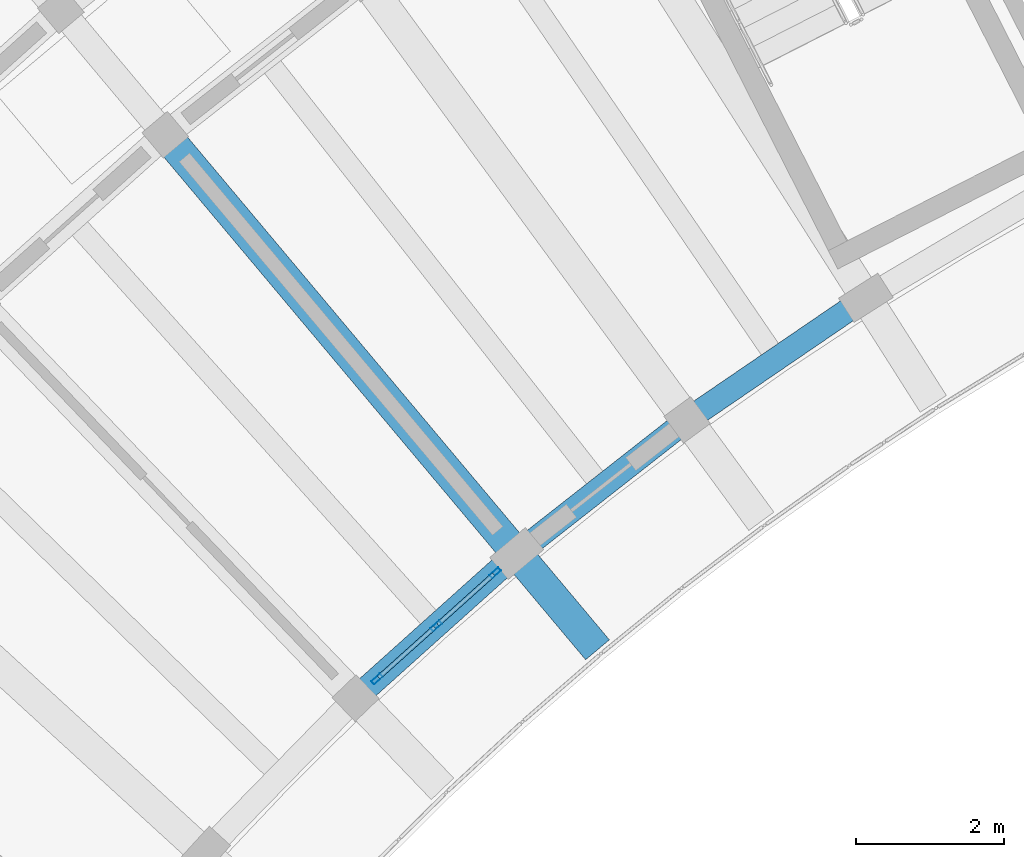
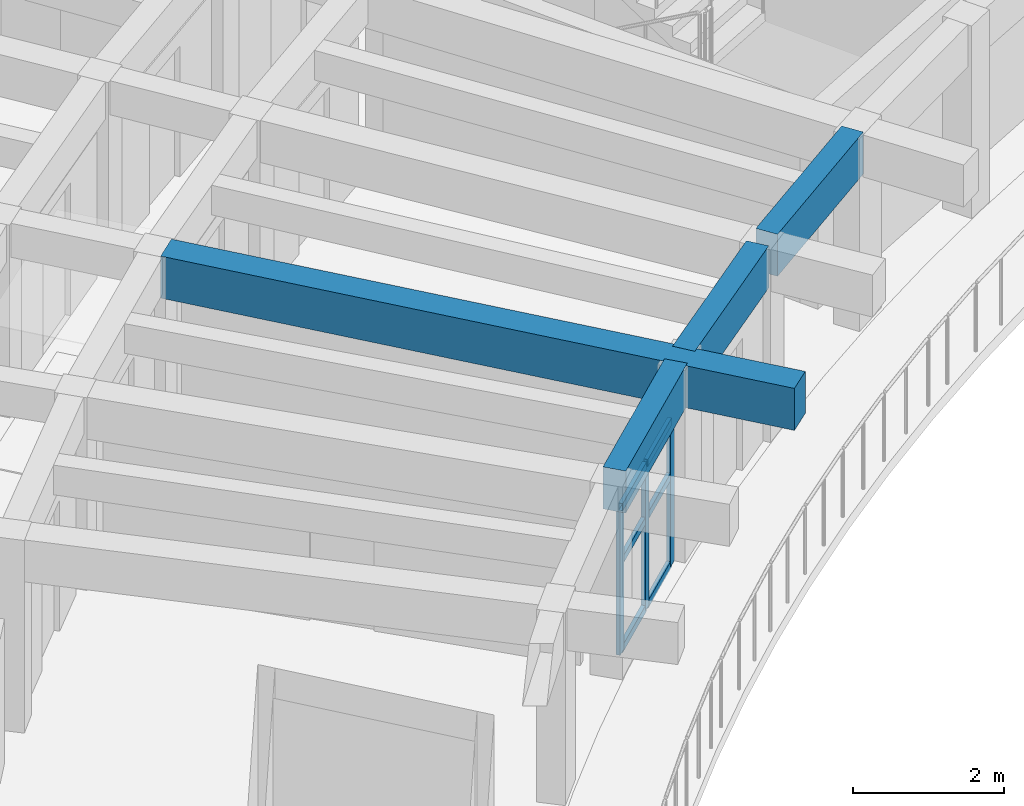
# One storey, part 5 of 32: 9 members, 4 beams, 1 element without a shape of its own.
"""IFC4 building model written with IfcOpenShell, lengths in metres."""

from ifc_helpers import new_model, si_unit, direction, frame, origin, origin_2d, place, context, subcontext, project, spatial, rectangle, hollow_rectangle, extrude, material, material_profile, profile_set, type_object, element, aggregate, save


model = new_model("IFC4")

# Units and contexts
model_context = context("Model", 3, precision=1e-05, world=origin(), true_north=direction((0.0, 1.0)))
body_context = subcontext(model_context, "Body", "Model", "MODEL_VIEW")
ifc_project = project(units=[si_unit("LENGTHUNIT", "METRE"), si_unit("AREAUNIT", "SQUARE_METRE"), si_unit("VOLUMEUNIT", "CUBIC_METRE"), si_unit("PLANEANGLEUNIT", "RADIAN"), si_unit("MASSUNIT", "GRAM", prefix="KILO")], contexts=[model_context])

# Site, building, storey
site_placement = place(None, origin())
site = spatial("IfcSite", under=ifc_project, at=site_placement, CompositionType="ELEMENT")
building_placement = place(site_placement, origin())
building = spatial("IfcBuilding", under=site, at=building_placement, Name="Tanwirah Colonnade Gardens", CompositionType="ELEMENT")
storey_placement = place(building_placement, frame((0.0, 0.0, 42.43994140625)))
storey = spatial("IfcBuildingStorey", under=building, at=storey_placement, Name="L12", CompositionType="ELEMENT", Elevation=42.43994140625)

# Beam
ifc_material_1 = material(Name="Precast concrete C45/55", Category="concrete")
ifc_material_profile_1 = material_profile(ifc_material_1, rectangle(XDim=0.419921875, YDim=0.679931640625, at=origin_2d()), Name="PC-BM 420x680")
ifc_profile_set_1 = profile_set([ifc_material_profile_1], Name="Precast concrete C45/55")
beam_type_1 = type_object("IfcBeamType", Name="BM-PC420", PredefinedType="BEAM", material=ifc_profile_set_1)
beam_placement = place(storey_placement, frame((31.767822265625, 99.804443359375, 2.780029296875), z_axis=(0.64279407932, -0.766039014406, 0.0), x_axis=(0.766039014406, 0.64279407932, 0.0)))
element("IfcBeam", 1, at=beam_placement, inside=storey, type_object=beam_type_1, Name="Block A L12 Inner Radial Precast Girder 9", PredefinedType="BEAM", context=body_context, shape_type="SweptSolid", body=[
    extrude(rectangle(XDim=0.419921875, YDim=0.679931640625, at=origin_2d()), origin(), (0.0, 0.0, 1.0), 8.949951171875),
])

# Curtain wall, members
ifc_material_2 = material(Name="Bronze-anodised aluminium and solar-control low-E glass", Category="aluminium")
curtain_wall_type = type_object("IfcCurtainWallType", Name="CW-GDN", PredefinedType="NOTDEFINED", material=ifc_material_2)
curtain_wall_placement = place(storey_placement, origin())
curtain_wall = element("IfcCurtainWall", 2, at=curtain_wall_placement, inside=storey, type_object=curtain_wall_type, Name="Curtain Wall CW-A-L12-IN-09", PredefinedType="NOTDEFINED")
ifc_material_3 = material(Name="Bronze-anodised aluminium", Category="aluminium")
ifc_material_profile_2 = material_profile(ifc_material_3, hollow_rectangle(XDim=0.06005859375, YDim=0.159912109375, WallThickness=0.00390625, at=origin_2d()), Name="CW-MUL 60x160x4")
ifc_profile_set_2 = profile_set([ifc_material_profile_2], Name="Bronze-anodised aluminium")
member_type_1 = type_object("IfcMemberType", Name="CWM-60x160", PredefinedType="MULLION", material=ifc_profile_set_2)
member_1_placement = place(storey_placement, frame((36.1376953125, 93.990234375, 0.0), z_axis=(0.0, 0.0, 1.0), x_axis=(0.667689182798, -0.744440162253, 0.0)))
member_1 = element("IfcMember", 3, at=member_1_placement, type_object=member_type_1, Name="CW-GDN mullion 1", PredefinedType="MULLION", context=body_context, shape_type="SweptSolid", body=[
    extrude(hollow_rectangle(XDim=0.06005859375, YDim=0.159912109375, WallThickness=0.00390625, at=origin_2d()), origin(), (0.0, 0.0, 1.0), 2.35498046875),
])
member_2_placement = place(storey_placement, frame((35.33740234375, 93.2724609375, 0.0), z_axis=(0.0, 0.0, 1.0), x_axis=(0.667689182798, -0.744440162253, 0.0)))
member_2 = element("IfcMember", 4, at=member_2_placement, type_object=member_type_1, Name="CW-GDN mullion 2", PredefinedType="MULLION", context=body_context, shape_type="SweptSolid", body=[
    extrude(hollow_rectangle(XDim=0.06005859375, YDim=0.159912109375, WallThickness=0.00390625, at=origin_2d()), origin(), (0.0, 0.0, 1.0), 2.35498046875),
])
member_3_placement = place(storey_placement, frame((34.537109375, 92.5546875, 0.0), z_axis=(0.0, 0.0, 1.0), x_axis=(0.667689182798, -0.744440162253, 0.0)))
member_3 = element("IfcMember", 5, at=member_3_placement, type_object=member_type_1, Name="CW-GDN mullion 3", PredefinedType="MULLION", context=body_context, shape_type="SweptSolid", body=[
    extrude(hollow_rectangle(XDim=0.06005859375, YDim=0.159912109375, WallThickness=0.00390625, at=origin_2d()), origin(), (0.0, 0.0, 1.0), 2.35498046875),
])
ifc_material_profile_3 = material_profile(ifc_material_3, hollow_rectangle(XDim=0.06005859375, YDim=0.1201171875, WallThickness=0.00390625, at=origin_2d()), Name="CW-TRN 60x120x4")
ifc_profile_set_3 = profile_set([ifc_material_profile_3], Name="Bronze-anodised aluminium")
member_type_2 = type_object("IfcMemberType", Name="CWT-60x120", PredefinedType="USERDEFINED", material=ifc_profile_set_3)
member_4_placement = place(storey_placement, frame((36.115478515625, 93.97021484375, 0.030029296875), z_axis=(-0.744536466411, -0.66758179288, 0.0), x_axis=(0.66758179288, -0.744536466411, 0.0)))
member_4 = element("IfcMember", 6, at=member_4_placement, type_object=member_type_2, Name="CW-GDN transom 1.1", ObjectType="TRANSOM", PredefinedType="USERDEFINED", context=body_context, shape_type="SweptSolid", body=[
    extrude(hollow_rectangle(XDim=0.06005859375, YDim=0.1201171875, WallThickness=0.00390625, at=origin_2d()), origin(), (0.0, 0.0, 1.0), 1.01513671875),
])
member_5_placement = place(storey_placement, frame((36.115478515625, 93.97021484375, 1.460205078125), z_axis=(-0.744536466411, -0.66758179288, 0.0), x_axis=(0.66758179288, -0.744536466411, 0.0)))
member_5 = element("IfcMember", 7, at=member_5_placement, type_object=member_type_2, Name="CW-GDN transom 1.2", ObjectType="TRANSOM", PredefinedType="USERDEFINED", context=body_context, shape_type="SweptSolid", body=[
    extrude(hollow_rectangle(XDim=0.06005859375, YDim=0.1201171875, WallThickness=0.00390625, at=origin_2d()), origin(), (0.0, 0.0, 1.0), 1.01513671875),
])
member_6_placement = place(storey_placement, frame((36.115478515625, 93.97021484375, 2.324951171875), z_axis=(-0.744536466411, -0.66758179288, 0.0), x_axis=(0.66758179288, -0.744536466411, 0.0)))
member_6 = element("IfcMember", 8, at=member_6_placement, type_object=member_type_2, Name="CW-GDN transom 1.3", ObjectType="TRANSOM", PredefinedType="USERDEFINED", context=body_context, shape_type="SweptSolid", body=[
    extrude(hollow_rectangle(XDim=0.06005859375, YDim=0.1201171875, WallThickness=0.00390625, at=origin_2d()), origin(), (0.0, 0.0, 1.0), 1.01513671875),
])
member_7_placement = place(storey_placement, frame((35.31494140625, 93.25244140625, 0.030029296875), z_axis=(-0.744429262498, -0.667701335281, 0.0), x_axis=(0.667701335281, -0.744429262498, 0.0)))
member_7 = element("IfcMember", 9, at=member_7_placement, type_object=member_type_2, Name="CW-GDN transom 2.1", ObjectType="TRANSOM", PredefinedType="USERDEFINED", context=body_context, shape_type="SweptSolid", body=[
    extrude(hollow_rectangle(XDim=0.06005859375, YDim=0.1201171875, WallThickness=0.00390625, at=origin_2d()), origin(), (0.0, 0.0, 1.0), 1.01513671875),
])
member_8_placement = place(storey_placement, frame((35.31494140625, 93.25244140625, 1.460205078125), z_axis=(-0.744429262498, -0.667701335281, 0.0), x_axis=(0.667701335281, -0.744429262498, 0.0)))
member_8 = element("IfcMember", 10, at=member_8_placement, type_object=member_type_2, Name="CW-GDN transom 2.2", ObjectType="TRANSOM", PredefinedType="USERDEFINED", context=body_context, shape_type="SweptSolid", body=[
    extrude(hollow_rectangle(XDim=0.06005859375, YDim=0.1201171875, WallThickness=0.00390625, at=origin_2d()), origin(), (0.0, 0.0, 1.0), 1.01513671875),
])
member_9_placement = place(storey_placement, frame((35.31494140625, 93.25244140625, 2.324951171875), z_axis=(-0.744429262498, -0.667701335281, 0.0), x_axis=(0.667701335281, -0.744429262498, 0.0)))
member_9 = element("IfcMember", 11, at=member_9_placement, type_object=member_type_2, Name="CW-GDN transom 2.3", ObjectType="TRANSOM", PredefinedType="USERDEFINED", context=body_context, shape_type="SweptSolid", body=[
    extrude(hollow_rectangle(XDim=0.06005859375, YDim=0.1201171875, WallThickness=0.00390625, at=origin_2d()), origin(), (0.0, 0.0, 1.0), 1.01513671875),
])
aggregate(curtain_wall, [member_1, member_2, member_3, member_4, member_5, member_6, member_7, member_8, member_9])

# Beams
ifc_material_profile_4 = material_profile(ifc_material_1, rectangle(XDim=0.320068359375, YDim=0.679931640625, at=origin_2d()), Name="PC-SP 320x680")
ifc_profile_set_4 = profile_set([ifc_material_profile_4], Name="Precast concrete C45/55")
beam_type_2 = type_object("IfcBeamType", Name="SP-PC320", PredefinedType="SPANDREL", material=ifc_profile_set_4)
for number, where, z_axis, x_axis, name in (
    (12, (41.029541015625, 97.627197265625, 2.780029296875), (-0.825800981874, -0.563961646158, 0.0), (0.563961646158, -0.825800981874, 0.0), "Block A L12 Circumferential Beam 7-R0"),
    (13, (38.61572265625, 95.966552734375, 2.780029296875), (-0.786836625031, -0.617161344795, 0.0), (0.617161344795, -0.786836625031, 0.0), "Block A L12 Circumferential Beam 8-R0"),
    (14, (36.31640625, 94.150634765625, 2.780029296875), (-0.744400790288, -0.667733077972, 0.0), (0.667733077972, -0.744400790288, 0.0), "Block A L12 Circumferential Beam 9-R0"),
):
    element("IfcBeam", number, at=place(storey_placement, frame(where, z_axis=z_axis, x_axis=x_axis)), inside=storey, type_object=beam_type_2, Name=name, PredefinedType="SPANDREL", context=body_context, shape_type="SweptSolid", body=[
        extrude(rectangle(XDim=0.320068359375, YDim=0.679931640625, at=origin_2d()), origin(), (0.0, 0.0, 1.0), 2.63037109375),
    ])

save(model, "model.ifc")
